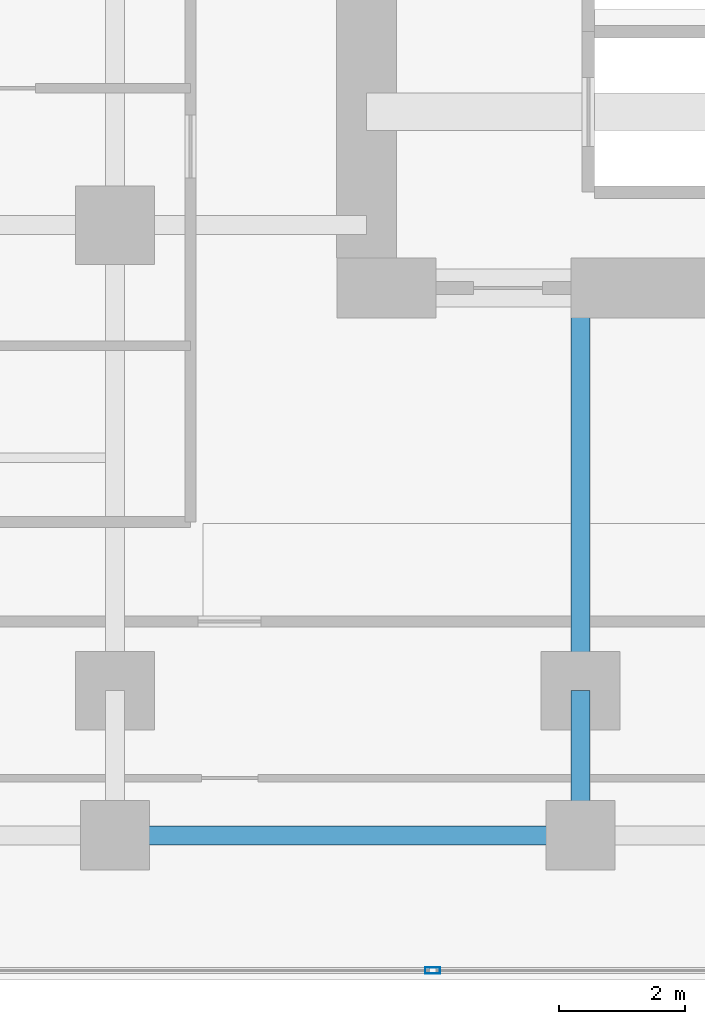
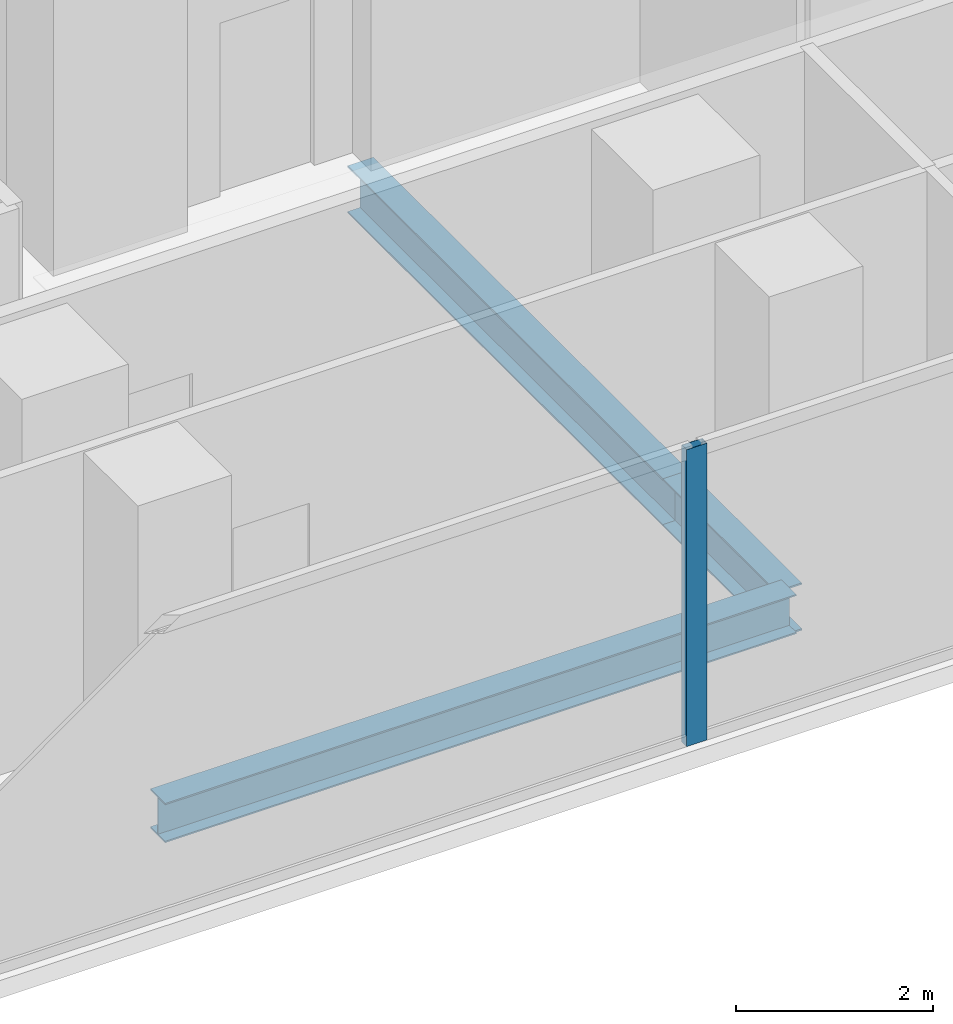
# One storey, part 4 of 28: 3 beams, 1 member, 1 element without a shape of its own.
"""IFC4 building model written with IfcOpenShell, lengths in metres."""

from ifc_helpers import new_model, si_unit, direction, frame, origin, origin_2d, place, context, subcontext, project, spatial, hollow_rectangle, i_section, extrude, material, layer, layer_set, material_profile, profile_set, type_object, element, aggregate, save


model = new_model("IFC4")

# Units and contexts
model_context = context("Model", 3, precision=1e-05, world=origin(), true_north=direction((0.0, 1.0)))
body_context = subcontext(model_context, "Body", "Model", "MODEL_VIEW")
ifc_project = project(units=[si_unit("LENGTHUNIT", "METRE"), si_unit("AREAUNIT", "SQUARE_METRE"), si_unit("VOLUMEUNIT", "CUBIC_METRE"), si_unit("PLANEANGLEUNIT", "RADIAN"), si_unit("MASSUNIT", "GRAM", prefix="KILO")], contexts=[model_context])

# Site, building, storey
site_placement = place(None, origin())
site = spatial("IfcSite", under=ifc_project, at=site_placement, CompositionType="ELEMENT")
building_placement = place(site_placement, origin())
building = spatial("IfcBuilding", under=site, at=building_placement, Name="Khorvyn Point Tower", CompositionType="ELEMENT")
storey_placement = place(building_placement, frame((0.0, 0.0, 100.800048828125)))
storey = spatial("IfcBuildingStorey", under=building, at=storey_placement, Name="L25", CompositionType="ELEMENT", Elevation=100.800048828125)

# Curtain wall, member
ifc_material_1 = material(Name="Anodised aluminium 6063-T6 and laminated Low-E glass", Category="aluminium")
ifc_layer = layer(ifc_material_1, 0.18994140625)
ifc_layer_set = layer_set([ifc_layer], Name="Stick-Built Finned Residential Curtain Wall CW-SYS-02")
curtain_wall_type = type_object("IfcCurtainWallType", Name="Stick-Built Finned Residential Curtain Wall CW-SYS-02", PredefinedType="NOTDEFINED", material=ifc_layer_set)
curtain_wall_placement = place(storey_placement, origin())
curtain_wall = element("IfcCurtainWall", 1, at=curtain_wall_placement, inside=storey, type_object=curtain_wall_type, Name="Curtain Wall", PredefinedType="NOTDEFINED")
ifc_material_2 = material(Name="Anodised aluminium 6063-T6", Category="aluminium")
ifc_material_profile_1 = material_profile(ifc_material_2, hollow_rectangle(XDim=0.10009765625, YDim=0.239990234375, WallThickness=0.0048828125, at=origin_2d()))
ifc_profile_set_1 = profile_set([ifc_material_profile_1], Name="Anodised aluminium 6063-T6 ALU-MUL-100x240")
member_type = type_object("IfcMemberType", Name="Anodised Aluminium 6063-T6 Mullion ALU-MUL-100x240", PredefinedType="MULLION", material=ifc_profile_set_1)
member_placement = place(storey_placement, frame((-9.75, -19.25, 0.0), z_axis=(0.0, 0.0, 1.0), x_axis=(0.0, -1.0, 0.0)))
member = element("IfcMember", 2, at=member_placement, type_object=member_type, Name="Transom", PredefinedType="MULLION", context=body_context, shape_type="SweptSolid", body=[
    extrude(hollow_rectangle(XDim=0.10009765625, YDim=0.239990234375, WallThickness=0.0048828125, at=origin_2d()), origin(), (0.0, 0.0, 1.0), 3.679931640625),
])
aggregate(curtain_wall, [member])

# Beams
ifc_material_3 = material(Name="Steel S355", Category="steel")
ifc_material_profile_2 = material_profile(ifc_material_3, i_section(OverallWidth=0.300048828125, OverallDepth=0.587890625, WebThickness=0.011962890625, FlangeThickness=0.02001953125, at=origin_2d()))
ifc_profile_set_2 = profile_set([ifc_material_profile_2], Name="Steel S355 H588x300x12x20")
beam_type_1 = type_object("IfcBeamType", Name="Steel S355 Beam H588x300x12x20", PredefinedType="BEAM", material=ifc_profile_set_2)
beam_1_placement = place(storey_placement, frame((-7.39990234375, -17.10009765625, -0.51416015625), z_axis=(0.0, 1.0, 0.0), x_axis=(-1.0, 0.0, 0.0)))
element("IfcBeam", 3, at=beam_1_placement, inside=storey, type_object=beam_type_1, Name="Beam", PredefinedType="BEAM", context=body_context, shape_type="SweptSolid", body=[
    extrude(i_section(OverallWidth=0.300048828125, OverallDepth=0.587890625, WebThickness=0.011962890625, FlangeThickness=0.02001953125, at=origin_2d()), origin(), (0.0, 0.0, 1.0), 2.300048828125),
])
beam_2_placement = place(storey_placement, frame((-7.39990234375, -14.800048828125, -0.51416015625), z_axis=(0.0, 1.0, 0.0), x_axis=(-1.0, 0.0, 0.0)))
element("IfcBeam", 4, at=beam_2_placement, inside=storey, type_object=beam_type_1, Name="Beam", PredefinedType="BEAM", context=body_context, shape_type="SweptSolid", body=[
    extrude(i_section(OverallWidth=0.300048828125, OverallDepth=0.587890625, WebThickness=0.011962890625, FlangeThickness=0.02001953125, at=origin_2d()), origin(), (0.0, 0.0, 1.0), 6.400146484375),
])
ifc_material_profile_3 = material_profile(ifc_material_3, i_section(OverallWidth=0.300048828125, OverallDepth=0.488037109375, WebThickness=0.010986328125, FlangeThickness=0.01806640625, at=origin_2d()))
ifc_profile_set_3 = profile_set([ifc_material_profile_3], Name="Steel S355 H488x300x11x18")
beam_type_2 = type_object("IfcBeamType", Name="Steel S355 Spandrel H488x300x11x18", PredefinedType="SPANDREL", material=ifc_profile_set_3)
beam_3_placement = place(storey_placement, frame((-14.800048828125, -17.10009765625, -0.464111328125), z_axis=(1.0, 0.0, 0.0), x_axis=(0.0, 1.0, 0.0)))
element("IfcBeam", 5, at=beam_3_placement, inside=storey, type_object=beam_type_2, Name="Beam", PredefinedType="SPANDREL", context=body_context, shape_type="SweptSolid", body=[
    extrude(i_section(OverallWidth=0.300048828125, OverallDepth=0.488037109375, WebThickness=0.010986328125, FlangeThickness=0.01806640625, at=origin_2d()), origin(), (0.0, 0.0, 1.0), 7.400146484375),
])

save(model, "model.ifc")
